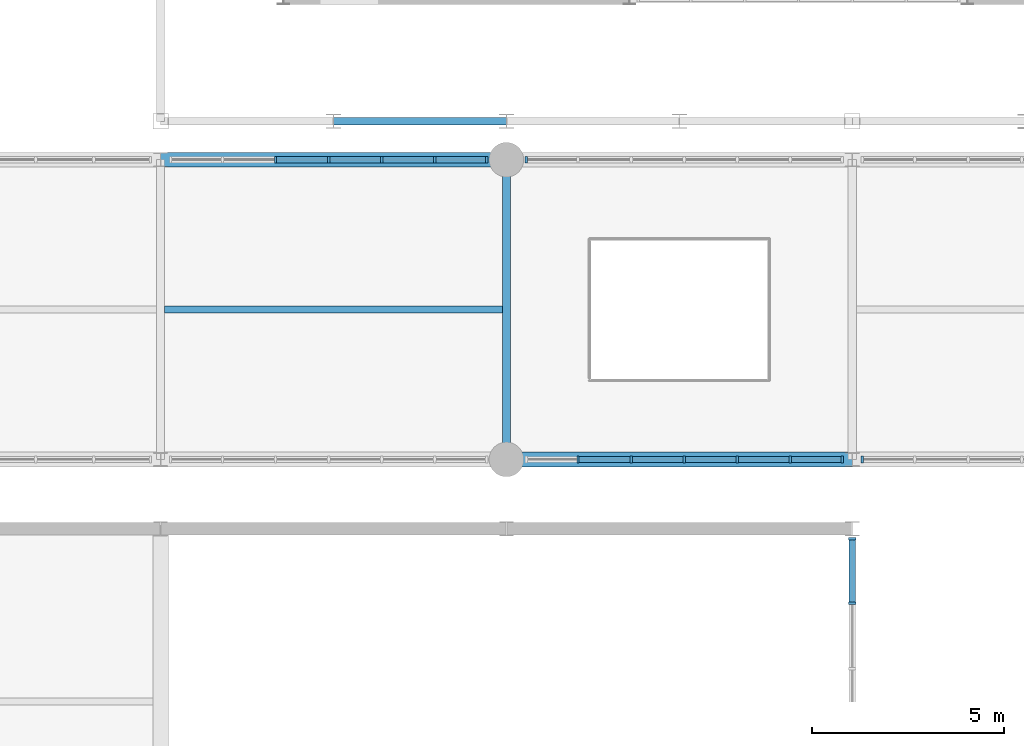
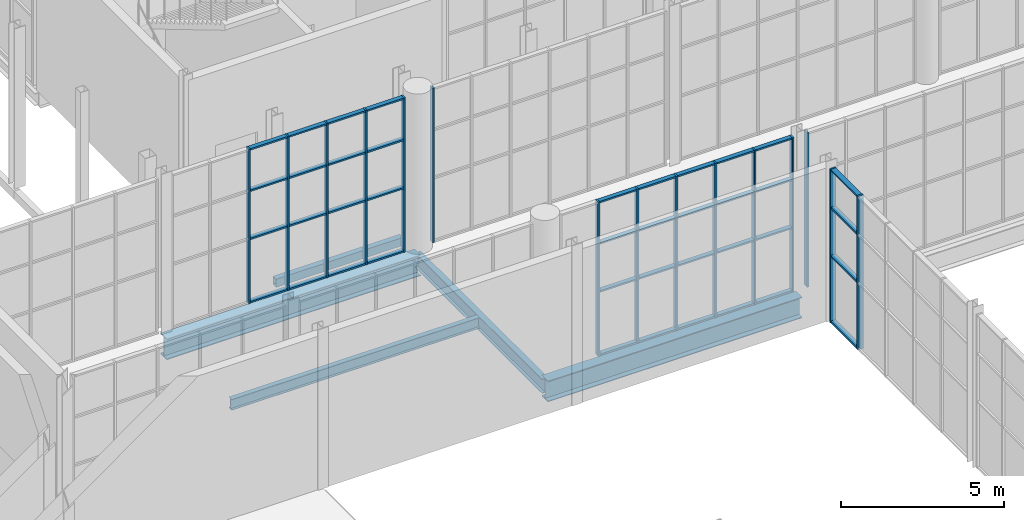
# One storey, part 35 of 159: 55 members, 5 beams, 5 elements without a shape of their own.
"""IFC4 building model written with IfcOpenShell, lengths in metres."""

from ifc_helpers import new_model, si_unit, direction, frame, origin, origin_2d, place, context, subcontext, project, spatial, rectangle, hollow_rectangle, i_section, extrude, material, layer, layer_set, material_profile, profile_set, type_object, element, aggregate, save


model = new_model("IFC4")

# Units and contexts
model_context = context("Model", 3, precision=1e-05, world=origin(), true_north=direction((0.0, 1.0)))
body_context = subcontext(model_context, "Body", "Model", "MODEL_VIEW")
ifc_project = project(units=[si_unit("LENGTHUNIT", "METRE"), si_unit("AREAUNIT", "SQUARE_METRE"), si_unit("VOLUMEUNIT", "CUBIC_METRE"), si_unit("PLANEANGLEUNIT", "RADIAN"), si_unit("MASSUNIT", "GRAM", prefix="KILO")], contexts=[model_context])

# Site, building, storey
site_placement = place(None, origin())
site = spatial("IfcSite", under=ifc_project, at=site_placement, CompositionType="ELEMENT")
building_placement = place(site_placement, origin())
building = spatial("IfcBuilding", under=site, at=building_placement, Name="Cazmaro Siding Exhibition Halls", CompositionType="ELEMENT")
storey_placement = place(building_placement, frame((0.0, 0.0, 6.0)))
storey = spatial("IfcBuildingStorey", under=building, at=storey_placement, Name="L01", CompositionType="ELEMENT", Elevation=6.0)

# Beam
ifc_material_1 = material(Name="Steel ASTM A992 Grade 50", Category="steel")
ifc_material_profile_1 = material_profile(ifc_material_1, i_section(OverallWidth=0.2099609375, OverallDepth=0.535888671875, WebThickness=0.010986328125, FlangeThickness=0.01708984375, at=origin_2d()), Name="W21X68")
ifc_profile_set_1 = profile_set([ifc_material_profile_1], Name="Steel ASTM A992 Grade 50")
beam_type_1 = type_object("IfcBeamType", Name="B-02", PredefinedType="BEAM", material=ifc_profile_set_1)
beam_1_placement = place(storey_placement, frame((54.0, 55.199951171875, -0.488037109375), z_axis=(0.0, 1.0, 0.0), x_axis=(-1.0, 0.0, 0.0)))
element("IfcBeam", 1, at=beam_1_placement, inside=storey, type_object=beam_type_1, Name="Beam B-02 BM-1690", PredefinedType="BEAM", context=body_context, shape_type="SweptSolid", body=[
    extrude(i_section(OverallWidth=0.2099609375, OverallDepth=0.535888671875, WebThickness=0.010986328125, FlangeThickness=0.01708984375, at=origin_2d()), origin(), (0.0, 0.0, 1.0), 7.800048828125),
])

# Curtain wall, members
ifc_material_2 = material(Name="Anodized Bronze Aluminum and Solar-Control Low-E Glazing", Category="aluminium")
ifc_layer_1 = layer(ifc_material_2, 0.179931640625)
ifc_layer_set_1 = layer_set([ifc_layer_1], Name="Anodized Bronze Aluminum and Solar-Control Low-E Glazing")
curtain_wall_type_1 = type_object("IfcCurtainWallType", Name="CWS-01", PredefinedType="USERDEFINED", material=ifc_layer_set_1)
curtain_wall_1_placement = place(storey_placement, origin())
curtain_wall_1 = element("IfcCurtainWall", 2, at=curtain_wall_1_placement, inside=storey, type_object=curtain_wall_type_1, Name="Glazed Curtain Wall CWS-01 CW-148", ObjectType="GLAZED CURTAIN WALL", PredefinedType="USERDEFINED")
ifc_material_3 = material(Name="Anodized Bronze Extruded Aluminum", Category="aluminium")
ifc_material_profile_2 = material_profile(ifc_material_3, rectangle(XDim=0.179931640625, YDim=0.06005859375, at=origin_2d()), Name="CWM-01")
ifc_profile_set_2 = profile_set([ifc_material_profile_2], Name="Anodized Bronze Extruded Aluminum")
member_type_1 = type_object("IfcMemberType", Name="CWM-01", PredefinedType="MULLION", material=ifc_profile_set_2)
member_1_placement = place(storey_placement, frame((53.487060546875, 63.0, 0.0), z_axis=(0.0, 0.0, 1.0), x_axis=(0.0, -1.0, 0.0)))
member_1 = element("IfcMember", 3, at=member_1_placement, type_object=member_type_1, Name="CWS-01 mullion 1", PredefinedType="MULLION", context=body_context, shape_type="SweptSolid", body=[
    extrude(rectangle(XDim=0.179931640625, YDim=0.06005859375, at=origin_2d()), origin(), (0.0, 0.0, 1.0), 5.780029296875),
])
member_2_placement = place(storey_placement, frame((52.1357421875, 63.0, 0.0), z_axis=(0.0, 0.0, 1.0), x_axis=(0.0, -1.0, 0.0)))
member_2 = element("IfcMember", 4, at=member_2_placement, type_object=member_type_1, Name="CWS-01 mullion 2", PredefinedType="MULLION", context=body_context, shape_type="SweptSolid", body=[
    extrude(rectangle(XDim=0.179931640625, YDim=0.06005859375, at=origin_2d()), origin(), (0.0, 0.0, 1.0), 5.780029296875),
])
member_3_placement = place(storey_placement, frame((50.754638671875, 63.0, 0.0), z_axis=(0.0, 0.0, 1.0), x_axis=(0.0, -1.0, 0.0)))
member_3 = element("IfcMember", 5, at=member_3_placement, type_object=member_type_1, Name="CWS-01 mullion 3", PredefinedType="MULLION", context=body_context, shape_type="SweptSolid", body=[
    extrude(rectangle(XDim=0.179931640625, YDim=0.06005859375, at=origin_2d()), origin(), (0.0, 0.0, 1.0), 5.780029296875),
])
member_4_placement = place(storey_placement, frame((49.37353515625, 63.0, 0.0), z_axis=(0.0, 0.0, 1.0), x_axis=(0.0, -1.0, 0.0)))
member_4 = element("IfcMember", 6, at=member_4_placement, type_object=member_type_1, Name="CWS-01 mullion 4", PredefinedType="MULLION", context=body_context, shape_type="SweptSolid", body=[
    extrude(rectangle(XDim=0.179931640625, YDim=0.06005859375, at=origin_2d()), origin(), (0.0, 0.0, 1.0), 5.780029296875),
])
member_5_placement = place(storey_placement, frame((47.992431640625, 63.0, 0.0), z_axis=(0.0, 0.0, 1.0), x_axis=(0.0, -1.0, 0.0)))
member_5 = element("IfcMember", 7, at=member_5_placement, type_object=member_type_1, Name="CWS-01 mullion 5", PredefinedType="MULLION", context=body_context, shape_type="SweptSolid", body=[
    extrude(rectangle(XDim=0.179931640625, YDim=0.06005859375, at=origin_2d()), origin(), (0.0, 0.0, 1.0), 5.780029296875),
])

curtain_wall_2_placement = place(storey_placement, origin())
curtain_wall_2 = element("IfcCurtainWall", 8, at=curtain_wall_2_placement, inside=storey, type_object=curtain_wall_type_1, Name="Glazed Curtain Wall CWS-01 CW-151", ObjectType="GLAZED CURTAIN WALL", PredefinedType="USERDEFINED")
member_6_placement = place(storey_placement, frame((55.8642578125, 55.199951171875, 0.0), z_axis=(0.0, 0.0, 1.0), x_axis=(0.0, 1.0, 0.0)))
member_6 = element("IfcMember", 9, at=member_6_placement, type_object=member_type_1, Name="CWS-01 mullion 2", PredefinedType="MULLION", context=body_context, shape_type="SweptSolid", body=[
    extrude(rectangle(XDim=0.179931640625, YDim=0.06005859375, at=origin_2d()), origin(), (0.0, 0.0, 1.0), 5.780029296875),
])
member_7_placement = place(storey_placement, frame((57.245361328125, 55.199951171875, 0.0), z_axis=(0.0, 0.0, 1.0), x_axis=(0.0, 1.0, 0.0)))
member_7 = element("IfcMember", 10, at=member_7_placement, type_object=member_type_1, Name="CWS-01 mullion 3", PredefinedType="MULLION", context=body_context, shape_type="SweptSolid", body=[
    extrude(rectangle(XDim=0.179931640625, YDim=0.06005859375, at=origin_2d()), origin(), (0.0, 0.0, 1.0), 5.780029296875),
])
member_8_placement = place(storey_placement, frame((58.62646484375, 55.199951171875, 0.0), z_axis=(0.0, 0.0, 1.0), x_axis=(0.0, 1.0, 0.0)))
member_8 = element("IfcMember", 11, at=member_8_placement, type_object=member_type_1, Name="CWS-01 mullion 4", PredefinedType="MULLION", context=body_context, shape_type="SweptSolid", body=[
    extrude(rectangle(XDim=0.179931640625, YDim=0.06005859375, at=origin_2d()), origin(), (0.0, 0.0, 1.0), 5.780029296875),
])
member_9_placement = place(storey_placement, frame((60.007568359375, 55.199951171875, 0.0), z_axis=(0.0, 0.0, 1.0), x_axis=(0.0, 1.0, 0.0)))
member_9 = element("IfcMember", 12, at=member_9_placement, type_object=member_type_1, Name="CWS-01 mullion 5", PredefinedType="MULLION", context=body_context, shape_type="SweptSolid", body=[
    extrude(rectangle(XDim=0.179931640625, YDim=0.06005859375, at=origin_2d()), origin(), (0.0, 0.0, 1.0), 5.780029296875),
])
member_10_placement = place(storey_placement, frame((61.388916015625, 55.199951171875, 0.0), z_axis=(0.0, 0.0, 1.0), x_axis=(0.0, 1.0, 0.0)))
member_10 = element("IfcMember", 13, at=member_10_placement, type_object=member_type_1, Name="CWS-01 mullion 6", PredefinedType="MULLION", context=body_context, shape_type="SweptSolid", body=[
    extrude(rectangle(XDim=0.179931640625, YDim=0.06005859375, at=origin_2d()), origin(), (0.0, 0.0, 1.0), 5.780029296875),
])
member_11_placement = place(storey_placement, frame((62.739990234375, 55.199951171875, 0.0), z_axis=(0.0, 0.0, 1.0), x_axis=(0.0, 1.0, 0.0)))
member_11 = element("IfcMember", 14, at=member_11_placement, type_object=member_type_1, Name="CWS-01 mullion 7", PredefinedType="MULLION", context=body_context, shape_type="SweptSolid", body=[
    extrude(rectangle(XDim=0.179931640625, YDim=0.06005859375, at=origin_2d()), origin(), (0.0, 0.0, 1.0), 5.780029296875),
])

# Curtain wall, member
curtain_wall_3_placement = place(storey_placement, origin())
curtain_wall_3 = element("IfcCurtainWall", 15, at=curtain_wall_3_placement, inside=storey, type_object=curtain_wall_type_1, Name="Glazed Curtain Wall CWS-01 CW-153", ObjectType="GLAZED CURTAIN WALL", PredefinedType="USERDEFINED")
member_12_placement = place(storey_placement, frame((54.512939453125, 63.0, 0.0), z_axis=(0.0, 0.0, 1.0), x_axis=(0.0, -1.0, 0.0)))
member_12 = element("IfcMember", 16, at=member_12_placement, type_object=member_type_1, Name="CWS-01 mullion 7", PredefinedType="MULLION", context=body_context, shape_type="SweptSolid", body=[
    extrude(rectangle(XDim=0.179931640625, YDim=0.06005859375, at=origin_2d()), origin(), (0.0, 0.0, 1.0), 5.780029296875),
])
aggregate(curtain_wall_3, [member_12])

curtain_wall_4_placement = place(storey_placement, origin())
curtain_wall_4 = element("IfcCurtainWall", 17, at=curtain_wall_4_placement, inside=storey, type_object=curtain_wall_type_1, Name="Glazed Curtain Wall CWS-01 CW-157", ObjectType="GLAZED CURTAIN WALL", PredefinedType="USERDEFINED")
member_13_placement = place(storey_placement, frame((63.260009765625, 55.199951171875, 0.0), z_axis=(0.0, 0.0, 1.0), x_axis=(0.0, 1.0, 0.0)))
member_13 = element("IfcMember", 18, at=member_13_placement, type_object=member_type_1, Name="CWS-01 mullion 1", PredefinedType="MULLION", context=body_context, shape_type="SweptSolid", body=[
    extrude(rectangle(XDim=0.179931640625, YDim=0.06005859375, at=origin_2d()), origin(), (0.0, 0.0, 1.0), 5.780029296875),
])
aggregate(curtain_wall_4, [member_13])

# Curtain wall, members
ifc_material_4 = material(Name="Anodized Bronze Aluminum and Solar-Control Low-E Glazing", Category="aluminium")
ifc_layer_2 = layer(ifc_material_4, 0.199951171875)
ifc_layer_set_2 = layer_set([ifc_layer_2], Name="Anodized Bronze Aluminum and Solar-Control Low-E Glazing")
curtain_wall_type_2 = type_object("IfcCurtainWallType", Name="CWS-02", PredefinedType="USERDEFINED", material=ifc_layer_set_2)
curtain_wall_5_placement = place(storey_placement, origin())
curtain_wall_5 = element("IfcCurtainWall", 19, at=curtain_wall_5_placement, inside=storey, type_object=curtain_wall_type_2, Name="Glazed Curtain Wall CWS-02 CW-221", ObjectType="GLAZED CURTAIN WALL", PredefinedType="USERDEFINED")
ifc_material_5 = material(Name="Anodized Bronze Extruded Aluminum", Category="aluminium")
ifc_material_profile_3 = material_profile(ifc_material_5, rectangle(XDim=0.199951171875, YDim=0.06494140625, at=origin_2d()), Name="CWM-02")
ifc_profile_set_3 = profile_set([ifc_material_profile_3], Name="Anodized Bronze Extruded Aluminum")
member_type_2 = type_object("IfcMemberType", Name="CWM-02", PredefinedType="MULLION", material=ifc_profile_set_3)
member_14_placement = place(storey_placement, frame((63.0, 51.46142578125, 0.0), z_axis=(0.0, 0.0, 1.0), x_axis=(-1.0, 0.0, 0.0)))
member_14 = element("IfcMember", 20, at=member_14_placement, type_object=member_type_2, Name="CWS-02 mullion 5", PredefinedType="MULLION", context=body_context, shape_type="SweptSolid", body=[
    extrude(rectangle(XDim=0.199951171875, YDim=0.06494140625, at=origin_2d()), origin(), (0.0, 0.0, 1.0), 5.75),
])
member_15_placement = place(storey_placement, frame((63.0, 53.136474609375, 0.0), z_axis=(0.0, 0.0, 1.0), x_axis=(-1.0, 0.0, 0.0)))
member_15 = element("IfcMember", 21, at=member_15_placement, type_object=member_type_2, Name="CWS-02 mullion 6", PredefinedType="MULLION", context=body_context, shape_type="SweptSolid", body=[
    extrude(rectangle(XDim=0.199951171875, YDim=0.06494140625, at=origin_2d()), origin(), (0.0, 0.0, 1.0), 5.75),
])

# Member
ifc_material_6 = material(Name="Anodized Bronze Extruded Aluminum", Category="aluminium")
ifc_material_profile_4 = material_profile(ifc_material_6, rectangle(XDim=0.159912109375, YDim=0.06005859375, at=origin_2d()), Name="CWT-01")
ifc_profile_set_4 = profile_set([ifc_material_profile_4], Name="Anodized Bronze Extruded Aluminum")
member_type_3 = type_object("IfcMemberType", Name="CWT-01", PredefinedType="MULLION", material=ifc_profile_set_4)
member_16_placement = place(storey_placement, frame((53.45703125, 63.0, 0.030029296875), z_axis=(-1.0, 0.0, 0.0), x_axis=(0.0, -1.0, 0.0)))
member_16 = element("IfcMember", 22, at=member_16_placement, type_object=member_type_3, Name="CWS-01 transom 1.1", ObjectType="TRANSOM", PredefinedType="USERDEFINED", context=body_context, shape_type="SweptSolid", body=[
    extrude(rectangle(XDim=0.159912109375, YDim=0.06005859375, at=origin_2d()), origin(), (0.0, 0.0, 1.0), 1.291259765625),
])

member_17_placement = place(storey_placement, frame((53.45703125, 63.0, 2.39990234375), z_axis=(-1.0, 0.0, 0.0), x_axis=(0.0, -1.0, 0.0)))
member_17 = element("IfcMember", 23, at=member_17_placement, type_object=member_type_3, Name="CWS-01 transom 1.2", ObjectType="TRANSOM", PredefinedType="USERDEFINED", context=body_context, shape_type="SweptSolid", body=[
    extrude(rectangle(XDim=0.159912109375, YDim=0.06005859375, at=origin_2d()), origin(), (0.0, 0.0, 1.0), 1.291259765625),
])

member_18_placement = place(storey_placement, frame((53.45703125, 63.0, 4.199951171875), z_axis=(-1.0, 0.0, 0.0), x_axis=(0.0, -1.0, 0.0)))
member_18 = element("IfcMember", 24, at=member_18_placement, type_object=member_type_3, Name="CWS-01 transom 1.3", ObjectType="TRANSOM", PredefinedType="USERDEFINED", context=body_context, shape_type="SweptSolid", body=[
    extrude(rectangle(XDim=0.159912109375, YDim=0.06005859375, at=origin_2d()), origin(), (0.0, 0.0, 1.0), 1.291259765625),
])

member_19_placement = place(storey_placement, frame((53.45703125, 63.0, 5.75), z_axis=(-1.0, 0.0, 0.0), x_axis=(0.0, -1.0, 0.0)))
member_19 = element("IfcMember", 25, at=member_19_placement, type_object=member_type_3, Name="CWS-01 transom 1.4", ObjectType="TRANSOM", PredefinedType="USERDEFINED", context=body_context, shape_type="SweptSolid", body=[
    extrude(rectangle(XDim=0.159912109375, YDim=0.06005859375, at=origin_2d()), origin(), (0.0, 0.0, 1.0), 1.291259765625),
])

member_20_placement = place(storey_placement, frame((52.105712890625, 63.0, 0.030029296875), z_axis=(-1.0, 0.0, 0.0), x_axis=(0.0, -1.0, 0.0)))
member_20 = element("IfcMember", 26, at=member_20_placement, type_object=member_type_3, Name="CWS-01 transom 2.1", ObjectType="TRANSOM", PredefinedType="USERDEFINED", context=body_context, shape_type="SweptSolid", body=[
    extrude(rectangle(XDim=0.159912109375, YDim=0.06005859375, at=origin_2d()), origin(), (0.0, 0.0, 1.0), 1.321044921875),
])

member_21_placement = place(storey_placement, frame((52.105712890625, 63.0, 2.39990234375), z_axis=(-1.0, 0.0, 0.0), x_axis=(0.0, -1.0, 0.0)))
member_21 = element("IfcMember", 27, at=member_21_placement, type_object=member_type_3, Name="CWS-01 transom 2.2", ObjectType="TRANSOM", PredefinedType="USERDEFINED", context=body_context, shape_type="SweptSolid", body=[
    extrude(rectangle(XDim=0.159912109375, YDim=0.06005859375, at=origin_2d()), origin(), (0.0, 0.0, 1.0), 1.321044921875),
])

member_22_placement = place(storey_placement, frame((52.105712890625, 63.0, 4.199951171875), z_axis=(-1.0, 0.0, 0.0), x_axis=(0.0, -1.0, 0.0)))
member_22 = element("IfcMember", 28, at=member_22_placement, type_object=member_type_3, Name="CWS-01 transom 2.3", ObjectType="TRANSOM", PredefinedType="USERDEFINED", context=body_context, shape_type="SweptSolid", body=[
    extrude(rectangle(XDim=0.159912109375, YDim=0.06005859375, at=origin_2d()), origin(), (0.0, 0.0, 1.0), 1.321044921875),
])

member_23_placement = place(storey_placement, frame((52.105712890625, 63.0, 5.75), z_axis=(-1.0, 0.0, 0.0), x_axis=(0.0, -1.0, 0.0)))
member_23 = element("IfcMember", 29, at=member_23_placement, type_object=member_type_3, Name="CWS-01 transom 2.4", ObjectType="TRANSOM", PredefinedType="USERDEFINED", context=body_context, shape_type="SweptSolid", body=[
    extrude(rectangle(XDim=0.159912109375, YDim=0.06005859375, at=origin_2d()), origin(), (0.0, 0.0, 1.0), 1.321044921875),
])

member_24_placement = place(storey_placement, frame((50.724609375, 63.0, 0.030029296875), z_axis=(-1.0, 0.0, 0.0), x_axis=(0.0, -1.0, 0.0)))
member_24 = element("IfcMember", 30, at=member_24_placement, type_object=member_type_3, Name="CWS-01 transom 3.1", ObjectType="TRANSOM", PredefinedType="USERDEFINED", context=body_context, shape_type="SweptSolid", body=[
    extrude(rectangle(XDim=0.159912109375, YDim=0.06005859375, at=origin_2d()), origin(), (0.0, 0.0, 1.0), 1.321044921875),
])

member_25_placement = place(storey_placement, frame((50.724609375, 63.0, 2.39990234375), z_axis=(-1.0, 0.0, 0.0), x_axis=(0.0, -1.0, 0.0)))
member_25 = element("IfcMember", 31, at=member_25_placement, type_object=member_type_3, Name="CWS-01 transom 3.2", ObjectType="TRANSOM", PredefinedType="USERDEFINED", context=body_context, shape_type="SweptSolid", body=[
    extrude(rectangle(XDim=0.159912109375, YDim=0.06005859375, at=origin_2d()), origin(), (0.0, 0.0, 1.0), 1.321044921875),
])

member_26_placement = place(storey_placement, frame((50.724609375, 63.0, 4.199951171875), z_axis=(-1.0, 0.0, 0.0), x_axis=(0.0, -1.0, 0.0)))
member_26 = element("IfcMember", 32, at=member_26_placement, type_object=member_type_3, Name="CWS-01 transom 3.3", ObjectType="TRANSOM", PredefinedType="USERDEFINED", context=body_context, shape_type="SweptSolid", body=[
    extrude(rectangle(XDim=0.159912109375, YDim=0.06005859375, at=origin_2d()), origin(), (0.0, 0.0, 1.0), 1.321044921875),
])

member_27_placement = place(storey_placement, frame((50.724609375, 63.0, 5.75), z_axis=(-1.0, 0.0, 0.0), x_axis=(0.0, -1.0, 0.0)))
member_27 = element("IfcMember", 33, at=member_27_placement, type_object=member_type_3, Name="CWS-01 transom 3.4", ObjectType="TRANSOM", PredefinedType="USERDEFINED", context=body_context, shape_type="SweptSolid", body=[
    extrude(rectangle(XDim=0.159912109375, YDim=0.06005859375, at=origin_2d()), origin(), (0.0, 0.0, 1.0), 1.321044921875),
])

member_28_placement = place(storey_placement, frame((49.343505859375, 63.0, 0.030029296875), z_axis=(-1.0, 0.0, 0.0), x_axis=(0.0, -1.0, 0.0)))
member_28 = element("IfcMember", 34, at=member_28_placement, type_object=member_type_3, Name="CWS-01 transom 4.1", ObjectType="TRANSOM", PredefinedType="USERDEFINED", context=body_context, shape_type="SweptSolid", body=[
    extrude(rectangle(XDim=0.159912109375, YDim=0.06005859375, at=origin_2d()), origin(), (0.0, 0.0, 1.0), 1.3212890625),
])

member_29_placement = place(storey_placement, frame((49.343505859375, 63.0, 2.39990234375), z_axis=(-1.0, 0.0, 0.0), x_axis=(0.0, -1.0, 0.0)))
member_29 = element("IfcMember", 35, at=member_29_placement, type_object=member_type_3, Name="CWS-01 transom 4.2", ObjectType="TRANSOM", PredefinedType="USERDEFINED", context=body_context, shape_type="SweptSolid", body=[
    extrude(rectangle(XDim=0.159912109375, YDim=0.06005859375, at=origin_2d()), origin(), (0.0, 0.0, 1.0), 1.3212890625),
])

member_30_placement = place(storey_placement, frame((49.343505859375, 63.0, 4.199951171875), z_axis=(-1.0, 0.0, 0.0), x_axis=(0.0, -1.0, 0.0)))
member_30 = element("IfcMember", 36, at=member_30_placement, type_object=member_type_3, Name="CWS-01 transom 4.3", ObjectType="TRANSOM", PredefinedType="USERDEFINED", context=body_context, shape_type="SweptSolid", body=[
    extrude(rectangle(XDim=0.159912109375, YDim=0.06005859375, at=origin_2d()), origin(), (0.0, 0.0, 1.0), 1.3212890625),
])

member_31_placement = place(storey_placement, frame((49.343505859375, 63.0, 5.75), z_axis=(-1.0, 0.0, 0.0), x_axis=(0.0, -1.0, 0.0)))
member_31 = element("IfcMember", 37, at=member_31_placement, type_object=member_type_3, Name="CWS-01 transom 4.4", ObjectType="TRANSOM", PredefinedType="USERDEFINED", context=body_context, shape_type="SweptSolid", body=[
    extrude(rectangle(XDim=0.159912109375, YDim=0.06005859375, at=origin_2d()), origin(), (0.0, 0.0, 1.0), 1.3212890625),
])

aggregate(curtain_wall_1, [member_1, member_2, member_3, member_4, member_5, member_16, member_17, member_18, member_19, member_20, member_21, member_22, member_23, member_24, member_25, member_26, member_27, member_28, member_29, member_30, member_31])

member_32_placement = place(storey_placement, frame((55.894287109375, 55.199951171875, 0.030029296875), z_axis=(1.0, 0.0, 0.0), x_axis=(0.0, 1.0, 0.0)))
member_32 = element("IfcMember", 38, at=member_32_placement, type_object=member_type_3, Name="CWS-01 transom 2.1", ObjectType="TRANSOM", PredefinedType="USERDEFINED", context=body_context, shape_type="SweptSolid", body=[
    extrude(rectangle(XDim=0.159912109375, YDim=0.06005859375, at=origin_2d()), origin(), (0.0, 0.0, 1.0), 1.321044921875),
])

member_33_placement = place(storey_placement, frame((55.894287109375, 55.199951171875, 2.39990234375), z_axis=(1.0, 0.0, 0.0), x_axis=(0.0, 1.0, 0.0)))
member_33 = element("IfcMember", 39, at=member_33_placement, type_object=member_type_3, Name="CWS-01 transom 2.2", ObjectType="TRANSOM", PredefinedType="USERDEFINED", context=body_context, shape_type="SweptSolid", body=[
    extrude(rectangle(XDim=0.159912109375, YDim=0.06005859375, at=origin_2d()), origin(), (0.0, 0.0, 1.0), 1.321044921875),
])

member_34_placement = place(storey_placement, frame((55.894287109375, 55.199951171875, 4.199951171875), z_axis=(1.0, 0.0, 0.0), x_axis=(0.0, 1.0, 0.0)))
member_34 = element("IfcMember", 40, at=member_34_placement, type_object=member_type_3, Name="CWS-01 transom 2.3", ObjectType="TRANSOM", PredefinedType="USERDEFINED", context=body_context, shape_type="SweptSolid", body=[
    extrude(rectangle(XDim=0.159912109375, YDim=0.06005859375, at=origin_2d()), origin(), (0.0, 0.0, 1.0), 1.321044921875),
])

member_35_placement = place(storey_placement, frame((55.894287109375, 55.199951171875, 5.75), z_axis=(1.0, 0.0, 0.0), x_axis=(0.0, 1.0, 0.0)))
member_35 = element("IfcMember", 41, at=member_35_placement, type_object=member_type_3, Name="CWS-01 transom 2.4", ObjectType="TRANSOM", PredefinedType="USERDEFINED", context=body_context, shape_type="SweptSolid", body=[
    extrude(rectangle(XDim=0.159912109375, YDim=0.06005859375, at=origin_2d()), origin(), (0.0, 0.0, 1.0), 1.321044921875),
])

member_36_placement = place(storey_placement, frame((57.275390625, 55.199951171875, 0.030029296875), z_axis=(1.0, 0.0, 0.0), x_axis=(0.0, 1.0, 0.0)))
member_36 = element("IfcMember", 42, at=member_36_placement, type_object=member_type_3, Name="CWS-01 transom 3.1", ObjectType="TRANSOM", PredefinedType="USERDEFINED", context=body_context, shape_type="SweptSolid", body=[
    extrude(rectangle(XDim=0.159912109375, YDim=0.06005859375, at=origin_2d()), origin(), (0.0, 0.0, 1.0), 1.321044921875),
])

member_37_placement = place(storey_placement, frame((57.275390625, 55.199951171875, 2.39990234375), z_axis=(1.0, 0.0, 0.0), x_axis=(0.0, 1.0, 0.0)))
member_37 = element("IfcMember", 43, at=member_37_placement, type_object=member_type_3, Name="CWS-01 transom 3.2", ObjectType="TRANSOM", PredefinedType="USERDEFINED", context=body_context, shape_type="SweptSolid", body=[
    extrude(rectangle(XDim=0.159912109375, YDim=0.06005859375, at=origin_2d()), origin(), (0.0, 0.0, 1.0), 1.321044921875),
])

member_38_placement = place(storey_placement, frame((57.275390625, 55.199951171875, 4.199951171875), z_axis=(1.0, 0.0, 0.0), x_axis=(0.0, 1.0, 0.0)))
member_38 = element("IfcMember", 44, at=member_38_placement, type_object=member_type_3, Name="CWS-01 transom 3.3", ObjectType="TRANSOM", PredefinedType="USERDEFINED", context=body_context, shape_type="SweptSolid", body=[
    extrude(rectangle(XDim=0.159912109375, YDim=0.06005859375, at=origin_2d()), origin(), (0.0, 0.0, 1.0), 1.321044921875),
])

member_39_placement = place(storey_placement, frame((57.275390625, 55.199951171875, 5.75), z_axis=(1.0, 0.0, 0.0), x_axis=(0.0, 1.0, 0.0)))
member_39 = element("IfcMember", 45, at=member_39_placement, type_object=member_type_3, Name="CWS-01 transom 3.4", ObjectType="TRANSOM", PredefinedType="USERDEFINED", context=body_context, shape_type="SweptSolid", body=[
    extrude(rectangle(XDim=0.159912109375, YDim=0.06005859375, at=origin_2d()), origin(), (0.0, 0.0, 1.0), 1.321044921875),
])

member_40_placement = place(storey_placement, frame((58.656494140625, 55.199951171875, 0.030029296875), z_axis=(1.0, 0.0, 0.0), x_axis=(0.0, 1.0, 0.0)))
member_40 = element("IfcMember", 46, at=member_40_placement, type_object=member_type_3, Name="CWS-01 transom 4.1", ObjectType="TRANSOM", PredefinedType="USERDEFINED", context=body_context, shape_type="SweptSolid", body=[
    extrude(rectangle(XDim=0.159912109375, YDim=0.06005859375, at=origin_2d()), origin(), (0.0, 0.0, 1.0), 1.3212890625),
])

member_41_placement = place(storey_placement, frame((58.656494140625, 55.199951171875, 2.39990234375), z_axis=(1.0, 0.0, 0.0), x_axis=(0.0, 1.0, 0.0)))
member_41 = element("IfcMember", 47, at=member_41_placement, type_object=member_type_3, Name="CWS-01 transom 4.2", ObjectType="TRANSOM", PredefinedType="USERDEFINED", context=body_context, shape_type="SweptSolid", body=[
    extrude(rectangle(XDim=0.159912109375, YDim=0.06005859375, at=origin_2d()), origin(), (0.0, 0.0, 1.0), 1.3212890625),
])

member_42_placement = place(storey_placement, frame((58.656494140625, 55.199951171875, 4.199951171875), z_axis=(1.0, 0.0, 0.0), x_axis=(0.0, 1.0, 0.0)))
member_42 = element("IfcMember", 48, at=member_42_placement, type_object=member_type_3, Name="CWS-01 transom 4.3", ObjectType="TRANSOM", PredefinedType="USERDEFINED", context=body_context, shape_type="SweptSolid", body=[
    extrude(rectangle(XDim=0.159912109375, YDim=0.06005859375, at=origin_2d()), origin(), (0.0, 0.0, 1.0), 1.3212890625),
])

member_43_placement = place(storey_placement, frame((58.656494140625, 55.199951171875, 5.75), z_axis=(1.0, 0.0, 0.0), x_axis=(0.0, 1.0, 0.0)))
member_43 = element("IfcMember", 49, at=member_43_placement, type_object=member_type_3, Name="CWS-01 transom 4.4", ObjectType="TRANSOM", PredefinedType="USERDEFINED", context=body_context, shape_type="SweptSolid", body=[
    extrude(rectangle(XDim=0.159912109375, YDim=0.06005859375, at=origin_2d()), origin(), (0.0, 0.0, 1.0), 1.3212890625),
])

member_44_placement = place(storey_placement, frame((60.03759765625, 55.199951171875, 0.030029296875), z_axis=(1.0, 0.0, 0.0), x_axis=(0.0, 1.0, 0.0)))
member_44 = element("IfcMember", 50, at=member_44_placement, type_object=member_type_3, Name="CWS-01 transom 5.1", ObjectType="TRANSOM", PredefinedType="USERDEFINED", context=body_context, shape_type="SweptSolid", body=[
    extrude(rectangle(XDim=0.159912109375, YDim=0.06005859375, at=origin_2d()), origin(), (0.0, 0.0, 1.0), 1.3212890625),
])

member_45_placement = place(storey_placement, frame((60.03759765625, 55.199951171875, 2.39990234375), z_axis=(1.0, 0.0, 0.0), x_axis=(0.0, 1.0, 0.0)))
member_45 = element("IfcMember", 51, at=member_45_placement, type_object=member_type_3, Name="CWS-01 transom 5.2", ObjectType="TRANSOM", PredefinedType="USERDEFINED", context=body_context, shape_type="SweptSolid", body=[
    extrude(rectangle(XDim=0.159912109375, YDim=0.06005859375, at=origin_2d()), origin(), (0.0, 0.0, 1.0), 1.3212890625),
])

member_46_placement = place(storey_placement, frame((60.03759765625, 55.199951171875, 4.199951171875), z_axis=(1.0, 0.0, 0.0), x_axis=(0.0, 1.0, 0.0)))
member_46 = element("IfcMember", 52, at=member_46_placement, type_object=member_type_3, Name="CWS-01 transom 5.3", ObjectType="TRANSOM", PredefinedType="USERDEFINED", context=body_context, shape_type="SweptSolid", body=[
    extrude(rectangle(XDim=0.159912109375, YDim=0.06005859375, at=origin_2d()), origin(), (0.0, 0.0, 1.0), 1.3212890625),
])

member_47_placement = place(storey_placement, frame((60.03759765625, 55.199951171875, 5.75), z_axis=(1.0, 0.0, 0.0), x_axis=(0.0, 1.0, 0.0)))
member_47 = element("IfcMember", 53, at=member_47_placement, type_object=member_type_3, Name="CWS-01 transom 5.4", ObjectType="TRANSOM", PredefinedType="USERDEFINED", context=body_context, shape_type="SweptSolid", body=[
    extrude(rectangle(XDim=0.159912109375, YDim=0.06005859375, at=origin_2d()), origin(), (0.0, 0.0, 1.0), 1.3212890625),
])

member_48_placement = place(storey_placement, frame((61.4189453125, 55.199951171875, 0.030029296875), z_axis=(1.0, 0.0, 0.0), x_axis=(0.0, 1.0, 0.0)))
member_48 = element("IfcMember", 54, at=member_48_placement, type_object=member_type_3, Name="CWS-01 transom 6.1", ObjectType="TRANSOM", PredefinedType="USERDEFINED", context=body_context, shape_type="SweptSolid", body=[
    extrude(rectangle(XDim=0.159912109375, YDim=0.06005859375, at=origin_2d()), origin(), (0.0, 0.0, 1.0), 1.291015625),
])

member_49_placement = place(storey_placement, frame((61.4189453125, 55.199951171875, 2.39990234375), z_axis=(1.0, 0.0, 0.0), x_axis=(0.0, 1.0, 0.0)))
member_49 = element("IfcMember", 55, at=member_49_placement, type_object=member_type_3, Name="CWS-01 transom 6.2", ObjectType="TRANSOM", PredefinedType="USERDEFINED", context=body_context, shape_type="SweptSolid", body=[
    extrude(rectangle(XDim=0.159912109375, YDim=0.06005859375, at=origin_2d()), origin(), (0.0, 0.0, 1.0), 1.291015625),
])

member_50_placement = place(storey_placement, frame((61.4189453125, 55.199951171875, 4.199951171875), z_axis=(1.0, 0.0, 0.0), x_axis=(0.0, 1.0, 0.0)))
member_50 = element("IfcMember", 56, at=member_50_placement, type_object=member_type_3, Name="CWS-01 transom 6.3", ObjectType="TRANSOM", PredefinedType="USERDEFINED", context=body_context, shape_type="SweptSolid", body=[
    extrude(rectangle(XDim=0.159912109375, YDim=0.06005859375, at=origin_2d()), origin(), (0.0, 0.0, 1.0), 1.291015625),
])

member_51_placement = place(storey_placement, frame((61.4189453125, 55.199951171875, 5.75), z_axis=(1.0, 0.0, 0.0), x_axis=(0.0, 1.0, 0.0)))
member_51 = element("IfcMember", 57, at=member_51_placement, type_object=member_type_3, Name="CWS-01 transom 6.4", ObjectType="TRANSOM", PredefinedType="USERDEFINED", context=body_context, shape_type="SweptSolid", body=[
    extrude(rectangle(XDim=0.159912109375, YDim=0.06005859375, at=origin_2d()), origin(), (0.0, 0.0, 1.0), 1.291015625),
])

aggregate(curtain_wall_2, [member_6, member_7, member_8, member_9, member_10, member_11, member_32, member_33, member_34, member_35, member_36, member_37, member_38, member_39, member_40, member_41, member_42, member_43, member_44, member_45, member_46, member_47, member_48, member_49, member_50, member_51])

ifc_material_7 = material(Name="Anodized Bronze Extruded Aluminum", Category="aluminium")
ifc_material_profile_5 = material_profile(ifc_material_7, rectangle(XDim=0.179931640625, YDim=0.06494140625, at=origin_2d()), Name="CWT-02")
ifc_profile_set_5 = profile_set([ifc_material_profile_5], Name="Anodized Bronze Extruded Aluminum")
member_type_4 = type_object("IfcMemberType", Name="CWT-02", PredefinedType="MULLION", material=ifc_profile_set_5)
member_52_placement = place(storey_placement, frame((63.0, 51.493896484375, 0.032470703125), z_axis=(0.0, 1.0, 0.0), x_axis=(-1.0, 0.0, 0.0)))
member_52 = element("IfcMember", 58, at=member_52_placement, type_object=member_type_4, Name="CWS-02 transom 5.1", ObjectType="TRANSOM", PredefinedType="USERDEFINED", context=body_context, shape_type="SweptSolid", body=[
    extrude(rectangle(XDim=0.179931640625, YDim=0.06494140625, at=origin_2d()), origin(), (0.0, 0.0, 1.0), 1.610107421875),
])

member_53_placement = place(storey_placement, frame((63.0, 51.493896484375, 2.5), z_axis=(0.0, 1.0, 0.0), x_axis=(-1.0, 0.0, 0.0)))
member_53 = element("IfcMember", 59, at=member_53_placement, type_object=member_type_4, Name="CWS-02 transom 5.2", ObjectType="TRANSOM", PredefinedType="USERDEFINED", context=body_context, shape_type="SweptSolid", body=[
    extrude(rectangle(XDim=0.179931640625, YDim=0.06494140625, at=origin_2d()), origin(), (0.0, 0.0, 1.0), 1.610107421875),
])

member_54_placement = place(storey_placement, frame((63.0, 51.493896484375, 4.300048828125), z_axis=(0.0, 1.0, 0.0), x_axis=(-1.0, 0.0, 0.0)))
member_54 = element("IfcMember", 60, at=member_54_placement, type_object=member_type_4, Name="CWS-02 transom 5.3", ObjectType="TRANSOM", PredefinedType="USERDEFINED", context=body_context, shape_type="SweptSolid", body=[
    extrude(rectangle(XDim=0.179931640625, YDim=0.06494140625, at=origin_2d()), origin(), (0.0, 0.0, 1.0), 1.610107421875),
])

member_55_placement = place(storey_placement, frame((63.0, 51.493896484375, 5.717529296875), z_axis=(0.0, 1.0, 0.0), x_axis=(-1.0, 0.0, 0.0)))
member_55 = element("IfcMember", 61, at=member_55_placement, type_object=member_type_4, Name="CWS-02 transom 5.4", ObjectType="TRANSOM", PredefinedType="USERDEFINED", context=body_context, shape_type="SweptSolid", body=[
    extrude(rectangle(XDim=0.179931640625, YDim=0.06494140625, at=origin_2d()), origin(), (0.0, 0.0, 1.0), 1.610107421875),
])

aggregate(curtain_wall_5, [member_14, member_15, member_52, member_53, member_54, member_55])

# Beams
ifc_material_8 = material(Name="Steel ASTM A992 Grade 50", Category="steel")
ifc_material_profile_6 = material_profile(ifc_material_8, i_section(OverallWidth=0.381103515625, OverallDepth=0.779052734375, WebThickness=0.01806640625, FlangeThickness=0.030029296875, at=origin_2d()), Name="W30X191")
ifc_profile_set_6 = profile_set([ifc_material_profile_6], Name="Steel ASTM A992 Grade 50")
beam_type_2 = type_object("IfcBeamType", Name="G-04", PredefinedType="USERDEFINED", material=ifc_profile_set_6)
for number, where, z_axis, x_axis, name in (
    (62, (45.0, 63.0, -0.60888671875), (1.0, 0.0, 0.0), (0.0, 1.0, 0.0), "Beam G-04 BM-1577"),
    (63, (54.0, 55.199951171875, -0.60888671875), (1.0, 0.0, 0.0), (0.0, 1.0, 0.0), "Beam G-04 BM-1585"),
):
    element("IfcBeam", number, at=place(storey_placement, frame(where, z_axis=z_axis, x_axis=x_axis)), inside=storey, type_object=beam_type_2, Name=name, ObjectType="GIRDER", PredefinedType="USERDEFINED", context=body_context, shape_type="SweptSolid", body=[
        extrude(i_section(OverallWidth=0.381103515625, OverallDepth=0.779052734375, WebThickness=0.01806640625, FlangeThickness=0.030029296875, at=origin_2d()), origin(), (0.0, 0.0, 1.0), 9.0),
    ])
ifc_material_9 = material(Name="Steel ASTM A992 Grade 50", Category="steel")
ifc_material_profile_7 = material_profile(ifc_material_9, i_section(OverallWidth=0.177978515625, OverallDepth=0.406005859375, WebThickness=0.008056640625, FlangeThickness=0.012939453125, at=origin_2d()), Name="W16X40")
ifc_profile_set_7 = profile_set([ifc_material_profile_7], Name="Steel ASTM A992 Grade 50")
beam_type_3 = type_object("IfcBeamType", Name="J-02", PredefinedType="JOIST", material=ifc_profile_set_7)
beam_2_placement = place(storey_placement, frame((45.10498046875, 59.10009765625, -0.423095703125), z_axis=(1.0, 0.0, 0.0), x_axis=(0.0, 1.0, 0.0)))
element("IfcBeam", 64, at=beam_2_placement, inside=storey, type_object=beam_type_3, Name="Beam J-02 BM-1578", PredefinedType="JOIST", context=body_context, shape_type="SweptSolid", body=[
    extrude(i_section(OverallWidth=0.177978515625, OverallDepth=0.406005859375, WebThickness=0.008056640625, FlangeThickness=0.012939453125, at=origin_2d()), origin(), (0.0, 0.0, 1.0), 8.7900390625),
])
ifc_material_10 = material(Name="Steel ASTM A500 Grade C", Category="steel")
ifc_material_profile_8 = material_profile(ifc_material_10, hollow_rectangle(XDim=0.202880859375, YDim=0.304931640625, WallThickness=0.011962890625, at=origin_2d()), Name="HSS12X8X1/2")
ifc_profile_set_8 = profile_set([ifc_material_profile_8], Name="Steel ASTM A500 Grade C")
beam_type_4 = type_object("IfcBeamType", Name="SP-01", PredefinedType="SPANDREL", material=ifc_profile_set_8)
beam_3_placement = place(storey_placement, frame((49.5, 64.0, -0.3720703125), z_axis=(1.0, 0.0, 0.0), x_axis=(0.0, 1.0, 0.0)))
element("IfcBeam", 65, at=beam_3_placement, inside=storey, type_object=beam_type_4, Name="Beam SP-01 BM-0067", PredefinedType="SPANDREL", context=body_context, shape_type="SweptSolid", body=[
    extrude(hollow_rectangle(XDim=0.202880859375, YDim=0.304931640625, WallThickness=0.011962890625, at=origin_2d()), origin(), (0.0, 0.0, 1.0), 4.5),
])

save(model, "model.ifc")
